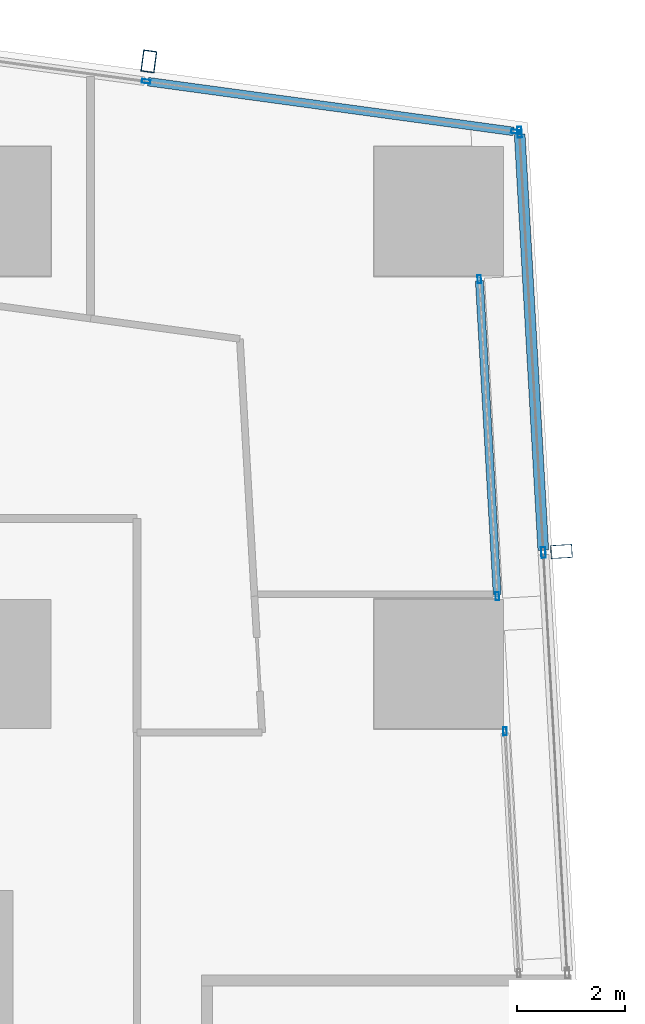
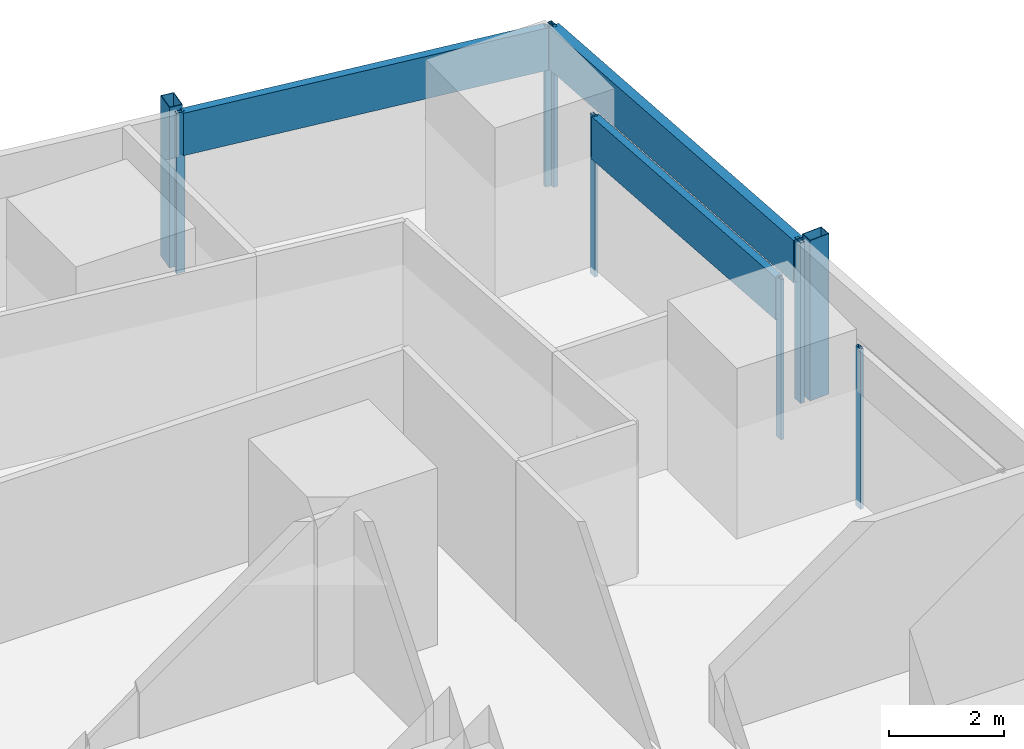
# One storey, part 19 of 34: 12 members, 4 elements without a shape of their own.
"""IFC4 building model written with IfcOpenShell, lengths in metres."""

import ifcopenshell
import ifcopenshell.guid

model = None  # the IFC model being written
_history = None  # IfcOwnerHistory: only IFC2X3 demands one
_inside = {}  # id of a spatial element -> (the spatial element, [elements in it])
_under = {}  # id of a project, library or spatial element -> (it, [spatial elements below it])
_declared = {}  # id of a project -> (the project, [libraries it declares])
_typed = {}  # id of a type object -> (the type object, [elements of that type])
_made_of = {}  # id of a material, layer set ... -> (it, [elements and type objects made of it])


def new_model(schema):
    """Start an empty IFC model of exactly this schema.

    Asked for "IFC4X3", IfcOpenShell would pick the latest addendum, in which some entities
    have other attributes; the version numbers below select the first issue.
    IFC2X3 requires an IfcOwnerHistory on every rooted entity: one is made here for all.
    """
    global model, _history
    if schema == "IFC4X3":
        model = ifcopenshell.file(schema_version=(4, 3, 0, 0))
    else:
        model = ifcopenshell.file(schema=schema)
    _inside.clear()
    _under.clear()
    _declared.clear()
    _typed.clear()
    _made_of.clear()
    _history = None
    if model.schema == "IFC2X3":
        org = make("IfcOrganization", Name="unknown")
        user = make(
            "IfcPersonAndOrganization",
            ThePerson=make("IfcPerson", FamilyName="unknown"),
            TheOrganization=org,
        )
        app = make(
            "IfcApplication",
            ApplicationDeveloper=org,
            Version="unknown",
            ApplicationFullName="unknown",
            ApplicationIdentifier="unknown",
        )
        _history = make(
            "IfcOwnerHistory",
            OwningUser=user,
            OwningApplication=app,
            ChangeAction="ADDED",
            CreationDate=0,
        )
    return model


def make(cls, **values):
    """One entity of the class cls with the attributes given. An attribute that is None is left unset."""
    return model.create_entity(
        cls, **{name: value for name, value in values.items() if value is not None}
    )


def rooted(cls, **values):
    """An entity with a GlobalId (a new one), such as an element, a storey or a relation."""
    return make(cls, GlobalId=ifcopenshell.guid.new(), OwnerHistory=_history, **values)


def si_unit(unit_type, name, prefix=None):
    """IfcSIUnit, for example si_unit("LENGTHUNIT", "METRE", prefix="MILLI")."""
    return make("IfcSIUnit", UnitType=unit_type, Prefix=prefix, Name=name)


def assignment(units):
    """IfcUnitAssignment: the units of a project."""
    return None if units is None else make("IfcUnitAssignment", Units=units)


def point(xyz):
    """IfcCartesianPoint."""
    return None if xyz is None else make("IfcCartesianPoint", Coordinates=xyz)


def direction(xyz):
    """IfcDirection."""
    return None if xyz is None else make("IfcDirection", DirectionRatios=xyz)


def frame(location, z_axis=None, x_axis=None):
    """IfcAxis2Placement3D, a coordinate frame: its origin and axes. An axis left out is left unset."""
    return make(
        "IfcAxis2Placement3D",
        Location=point(location),
        Axis=direction(z_axis),
        RefDirection=direction(x_axis),
    )


def frame_2d(location, x_axis=None):
    """IfcAxis2Placement2D, a coordinate frame in the plane: its origin and x axis."""
    return make(
        "IfcAxis2Placement2D", Location=point(location), RefDirection=direction(x_axis)
    )


def origin():
    """The frame at (0, 0, 0) with its axes left unset."""
    return frame((0.0, 0.0, 0.0))


def origin_2d():
    """The frame at (0, 0) in the plane with its x axis left unset."""
    return frame_2d((0.0, 0.0))


def place(relative_to, where):
    """IfcLocalPlacement: puts the frame where relative to a parent placement (None: the world)."""
    return make(
        "IfcLocalPlacement", PlacementRelTo=relative_to, RelativePlacement=where
    )


def context(
    kind, dimensions, precision=None, world=None, true_north=None, identifier=None
):
    """IfcGeometricRepresentationContext, for example the 3D "Model" context."""
    return make(
        "IfcGeometricRepresentationContext",
        ContextIdentifier=identifier,
        ContextType=kind,
        CoordinateSpaceDimension=dimensions,
        Precision=precision,
        WorldCoordinateSystem=world,
        TrueNorth=true_north,
    )


def subcontext(parent, identifier, kind, view, scale=None):
    """IfcGeometricRepresentationSubContext, for example "Body" below "Model"."""
    return make(
        "IfcGeometricRepresentationSubContext",
        ContextIdentifier=identifier,
        ContextType=kind,
        ParentContext=parent,
        TargetScale=scale,
        TargetView=view,
    )


def project(units=None, contexts=None):
    """IfcProject with its units and contexts."""
    return rooted(
        "IfcProject",
        Name="project",
        RepresentationContexts=contexts,
        UnitsInContext=assignment(units),
    )


def spatial(cls, under=None, at=None, **own):
    """A site, building, storey or space (cls), placed at a placement, below another one or the project."""
    s = rooted(cls, ObjectPlacement=at, **own)
    if under is not None:
        _under.setdefault(under.id(), (under, []))[1].append(s)
    return s


def profile(cls, at=None, kind="AREA", **sizes):
    """A parametric profile (cls). Its sizes go by their IFC names, for example OverallWidth=200.0."""
    return make(cls, ProfileType=kind, Position=at, **sizes)


def hollow_rectangle(**sizes):
    """IfcRectangleHollowProfileDef."""
    return profile("IfcRectangleHollowProfileDef", **sizes)


def extrude(swept, where, along, depth):
    """IfcExtrudedAreaSolid: the profile swept, set in the frame where, extruded along a direction by depth."""
    return make(
        "IfcExtrudedAreaSolid",
        SweptArea=swept,
        Position=where,
        ExtrudedDirection=direction(along),
        Depth=depth,
    )


def shape(context_of_items, identifier, shape_type, items):
    """IfcShapeRepresentation: the items that make up one representation, for example the "Body"."""
    return make(
        "IfcShapeRepresentation",
        ContextOfItems=context_of_items,
        RepresentationIdentifier=identifier,
        RepresentationType=shape_type,
        Items=items,
    )


def material(Name=None, Category=None):
    """IfcMaterial."""
    return make("IfcMaterial", Name=Name, Category=Category)


def material_profile(
    of_material, cross_section, Name=None, Category=None, Priority=None
):
    """IfcMaterialProfile: a cross section and its material."""
    return make(
        "IfcMaterialProfile",
        Name=Name,
        Material=of_material,
        Profile=cross_section,
        Priority=Priority,
        Category=Category,
    )


def profile_set(profiles, Name=None, composite=None):
    """IfcMaterialProfileSet."""
    return make(
        "IfcMaterialProfileSet",
        Name=Name,
        MaterialProfiles=profiles,
        CompositeProfile=composite,
    )


def made_of(thing, what):
    """Note that an element or type object is made of a material, layer set ...; save() writes the relation."""
    if what is not None:
        _made_of.setdefault(what.id(), (what, []))[1].append(thing)
    return thing


def type_object(cls, material=None, **own):
    """A type object (cls), such as IfcWallType, which elements share."""
    return made_of(rooted(cls, **own), material)


def element(
    cls,
    number,
    at=None,
    inside=None,
    cuts=None,
    type_object=None,
    material=None,
    context=None,
    identifier="Body",
    shape_type=None,
    held_by="IfcProductDefinitionShape",
    body=None,
    shapes=None,
    **own,
):
    """One element of the class cls, such as IfcWall. Its Tag is "e" and its number.

    at: its placement. inside: the storey or other place that contains it. cuts: it is an
    opening in that element (IfcRelVoidsElement). A single representation is given by context,
    identifier, shape_type and body (its items); several are given by shapes. held_by: the class
    of the entity that holds the representations. save() writes the other relations.
    """
    e = rooted(cls, Tag="e%d" % number, ObjectPlacement=at, **own)
    if body is not None:
        shapes = [shape(context, identifier, shape_type, body)]
    if shapes is not None:
        e.Representation = make(held_by, Representations=shapes)
    if inside is not None:
        _inside.setdefault(inside.id(), (inside, []))[1].append(e)
    if cuts is not None:
        rooted(
            "IfcRelVoidsElement", RelatingBuildingElement=cuts, RelatedOpeningElement=e
        )
    if type_object is not None:
        _typed.setdefault(type_object.id(), (type_object, []))[1].append(e)
    return made_of(e, material)


def aggregate(whole, parts):
    """IfcRelAggregates: a whole, such as a stair, and the parts it consists of."""
    return rooted("IfcRelAggregates", RelatingObject=whole, RelatedObjects=parts)


def save(model, path):
    """Write the relations noted so far, then the file.

    IfcRelAggregates (storeys below a building ...), IfcRelContainedInSpatialStructure (elements
    in a storey), IfcRelDefinesByType, IfcRelAssociatesMaterial and IfcRelDeclares: one each for
    every whole, place, type object, material and project.
    """
    for whole, parts in _under.values():
        aggregate(whole, parts)
    for where, things in _inside.values():
        rooted(
            "IfcRelContainedInSpatialStructure",
            RelatedElements=things,
            RelatingStructure=where,
        )
    for kind, things in _typed.values():
        rooted("IfcRelDefinesByType", RelatedObjects=things, RelatingType=kind)
    for what, things in _made_of.values():
        rooted("IfcRelAssociatesMaterial", RelatedObjects=things, RelatingMaterial=what)
    for by, libraries in _declared.values():
        rooted("IfcRelDeclares", RelatingContext=by, RelatedDefinitions=libraries)
    model.write(path)


model = new_model("IFC4")

# Units and contexts
model_context = context("Model", 3, precision=1e-05, world=origin(), true_north=direction((0.0, 1.0)))
body_context = subcontext(model_context, "Body", "Model", "MODEL_VIEW")
ifc_project = project(units=[si_unit("LENGTHUNIT", "METRE"), si_unit("AREAUNIT", "SQUARE_METRE"), si_unit("VOLUMEUNIT", "CUBIC_METRE"), si_unit("PLANEANGLEUNIT", "RADIAN"), si_unit("MASSUNIT", "GRAM", prefix="KILO")], contexts=[model_context])

# Site, building, storey
site_placement = place(None, origin())
site = spatial("IfcSite", under=ifc_project, at=site_placement, CompositionType="ELEMENT")
building_placement = place(site_placement, origin())
building = spatial("IfcBuilding", under=site, at=building_placement, Name="Rekha Terrace Tower", CompositionType="ELEMENT")
storey_placement = place(building_placement, frame((0.0, 0.0, 236.449951171875)))
storey = spatial("IfcBuildingStorey", under=building, at=storey_placement, Name="L60", CompositionType="ELEMENT", Elevation=236.449951171875)

# Curtain wall, member
ifc_material_1 = material(Name="Aluminium framing", Category="aluminium")
curtain_wall_type_1 = type_object("IfcCurtainWallType", Name="CW2 double skin outer glazing", PredefinedType="USERDEFINED", material=ifc_material_1)
curtain_wall_1_placement = place(storey_placement, origin())
curtain_wall_1 = element("IfcCurtainWall", 1, at=curtain_wall_1_placement, inside=storey, type_object=curtain_wall_type_1, Name="CW2 double skin outer glazing", ObjectType="DOUBLE SKIN OUTER GLAZING", PredefinedType="USERDEFINED")
ifc_material_2 = material(Name="Steel S355 with fluorocarbon finish", Category="steel")
ifc_material_profile_1 = material_profile(ifc_material_2, hollow_rectangle(XDim=0.25, YDim=0.39990234375, WallThickness=0.012451171875, at=origin_2d()), Name="RHS400x250x12.5")
ifc_profile_set_1 = profile_set([ifc_material_profile_1], Name="Steel S355 with fluorocarbon finish")
member_type_1 = type_object("IfcMemberType", Name="BL1 facade blade RHS 400 x 250", PredefinedType="USERDEFINED", material=ifc_profile_set_1)
member_1_placement = place(storey_placement, frame((61.077392578125, 52.487548828125, 0.0), z_axis=(0.0, 0.0, 1.0), x_axis=(-0.056673619809, 0.998392758797, 0.0)))
member_1 = element("IfcMember", 2, at=member_1_placement, type_object=member_type_1, Name="Facade blade", ObjectType="FACADE BLADE", PredefinedType="USERDEFINED", context=body_context, shape_type="SweptSolid", body=[
    extrude(hollow_rectangle(XDim=0.25, YDim=0.39990234375, WallThickness=0.012451171875, at=origin_2d()), origin(), (0.0, 0.0, 1.0), 3.400146484375),
])

curtain_wall_type_2 = type_object("IfcCurtainWallType", Name="CW3 north unitised glazing", PredefinedType="USERDEFINED", material=ifc_material_1)
curtain_wall_2_placement = place(storey_placement, origin())
curtain_wall_2 = element("IfcCurtainWall", 3, at=curtain_wall_2_placement, inside=storey, type_object=curtain_wall_type_2, Name="CW3 unitised curtain wall", ObjectType="UNITISED CURTAIN WALL", PredefinedType="USERDEFINED")
member_2_placement = place(storey_placement, frame((53.419921875, 61.583251953125, 0.0), z_axis=(0.0, 0.0, 1.0), x_axis=(-0.990867309488, 0.134840553943, 0.0)))
member_2 = element("IfcMember", 4, at=member_2_placement, type_object=member_type_1, Name="Facade blade", ObjectType="FACADE BLADE", PredefinedType="USERDEFINED", context=body_context, shape_type="SweptSolid", body=[
    extrude(hollow_rectangle(XDim=0.25, YDim=0.39990234375, WallThickness=0.012451171875, at=origin_2d()), origin(), (0.0, 0.0, 1.0), 3.400146484375),
])

curtain_wall_type_3 = type_object("IfcCurtainWallType", Name="CW1 double skin inner glazing", PredefinedType="USERDEFINED", material=ifc_material_1)
curtain_wall_3_placement = place(storey_placement, origin())
curtain_wall_3 = element("IfcCurtainWall", 5, at=curtain_wall_3_placement, inside=storey, type_object=curtain_wall_type_3, Name="CW1 double skin inner glazing", ObjectType="DOUBLE SKIN INNER GLAZING", PredefinedType="USERDEFINED")
ifc_material_3 = material(Name="Aluminium mullion section", Category="aluminium")
ifc_material_profile_2 = material_profile(ifc_material_3, hollow_rectangle(XDim=0.06494140625, YDim=0.14990234375, WallThickness=0.00390625, at=origin_2d()), Name="AL RHS 65x150")
ifc_profile_set_2 = profile_set([ifc_material_profile_2], Name="Aluminium mullion section")
member_type_2 = type_object("IfcMemberType", Name="CW1 mullion RHS 65 x 150", PredefinedType="MULLION", material=ifc_profile_set_2)
member_3_placement = place(storey_placement, frame((60.02978515625, 49.149169921875, 0.0), z_axis=(0.0, 0.0, 1.0), x_axis=(-0.998392782917, -0.056673194894, 0.0)))
member_3 = element("IfcMember", 6, at=member_3_placement, type_object=member_type_2, Name="CW1 mullion 2", PredefinedType="MULLION", context=body_context, shape_type="SweptSolid", body=[
    extrude(hollow_rectangle(XDim=0.06494140625, YDim=0.14990234375, WallThickness=0.00390625, at=origin_2d()), origin(), (0.0, 0.0, 1.0), 3.400146484375),
])
aggregate(curtain_wall_3, [member_3])

# Curtain wall, members
curtain_wall_4_placement = place(storey_placement, origin())
curtain_wall_4 = element("IfcCurtainWall", 7, at=curtain_wall_4_placement, inside=storey, type_object=curtain_wall_type_3, Name="CW1 double skin inner glazing", ObjectType="DOUBLE SKIN INNER GLAZING", PredefinedType="USERDEFINED")
member_4_placement = place(storey_placement, frame((59.887451171875, 51.65771484375, 0.0), z_axis=(0.0, 0.0, 1.0), x_axis=(-0.998392782918, -0.056673194877, 0.0)))
member_4 = element("IfcMember", 8, at=member_4_placement, type_object=member_type_2, Name="CW1 mullion 1", PredefinedType="MULLION", context=body_context, shape_type="SweptSolid", body=[
    extrude(hollow_rectangle(XDim=0.06494140625, YDim=0.14990234375, WallThickness=0.00390625, at=origin_2d()), origin(), (0.0, 0.0, 1.0), 3.400146484375),
])
member_5_placement = place(storey_placement, frame((59.553466796875, 57.542236328125, 0.0), z_axis=(0.0, 0.0, 1.0), x_axis=(-0.998392782918, -0.056673194877, 0.0)))
member_5 = element("IfcMember", 9, at=member_5_placement, type_object=member_type_2, Name="CW1 mullion 2", PredefinedType="MULLION", context=body_context, shape_type="SweptSolid", body=[
    extrude(hollow_rectangle(XDim=0.06494140625, YDim=0.14990234375, WallThickness=0.00390625, at=origin_2d()), origin(), (0.0, 0.0, 1.0), 3.400146484375),
])
ifc_material_4 = material(Name="Insulated aluminium spandrel box", Category="aluminium")
ifc_material_profile_3 = material_profile(ifc_material_4, hollow_rectangle(XDim=0.14990234375, YDim=0.89990234375, WallThickness=0.0029296875, at=origin_2d()), Name="AL SPANDREL BOX 150x900")
ifc_profile_set_3 = profile_set([ifc_material_profile_3], Name="Insulated aluminium spandrel box")
member_type_3 = type_object("IfcMemberType", Name="CW1 spandrel transom 150 x 900", PredefinedType="USERDEFINED", material=ifc_profile_set_3)
member_6_placement = place(storey_placement, frame((59.885498046875, 51.690185546875, 2.949951171875), z_axis=(-0.056669284541, 0.998393004878, 0.0), x_axis=(-0.998393004878, -0.056669284541, 0.0)))
member_6 = element("IfcMember", 10, at=member_6_placement, type_object=member_type_3, Name="CW1 spandrel transom 1", ObjectType="TRANSOM", PredefinedType="USERDEFINED", context=body_context, shape_type="SweptSolid", body=[
    extrude(hollow_rectangle(XDim=0.14990234375, YDim=0.89990234375, WallThickness=0.0029296875, at=origin_2d()), origin(), (0.0, 0.0, 1.0), 5.828857421875),
])
aggregate(curtain_wall_4, [member_4, member_5, member_6])

# Member
ifc_material_profile_4 = material_profile(ifc_material_3, hollow_rectangle(XDim=0.080078125, YDim=0.199951171875, WallThickness=0.00390625, at=origin_2d()), Name="AL RHS 80x200")
ifc_profile_set_4 = profile_set([ifc_material_profile_4], Name="Aluminium mullion section")
member_type_4 = type_object("IfcMemberType", Name="CW2 mullion RHS 80 x 200", PredefinedType="MULLION", material=ifc_profile_set_4)
member_7_placement = place(storey_placement, frame((60.742919921875, 52.468505859375, 0.0), z_axis=(0.0, 0.0, 1.0), x_axis=(-0.998392782919, -0.05667319486, 0.0)))
member_7 = element("IfcMember", 11, at=member_7_placement, type_object=member_type_4, Name="CW2 mullion 2", PredefinedType="MULLION", context=body_context, shape_type="SweptSolid", body=[
    extrude(hollow_rectangle(XDim=0.080078125, YDim=0.199951171875, WallThickness=0.00390625, at=origin_2d()), origin(), (0.0, 0.0, 1.0), 3.400146484375),
])

member_8_placement = place(storey_placement, frame((60.300048828125, 60.269287109375, 0.0), z_axis=(0.0, 0.0, 1.0), x_axis=(-0.998392782919, -0.05667319486, 0.0)))
member_8 = element("IfcMember", 12, at=member_8_placement, type_object=member_type_4, Name="CW2 mullion 3", PredefinedType="MULLION", context=body_context, shape_type="SweptSolid", body=[
    extrude(hollow_rectangle(XDim=0.080078125, YDim=0.199951171875, WallThickness=0.00390625, at=origin_2d()), origin(), (0.0, 0.0, 1.0), 3.400146484375),
])

ifc_material_profile_5 = material_profile(ifc_material_4, hollow_rectangle(XDim=0.199951171875, YDim=0.89990234375, WallThickness=0.0029296875, at=origin_2d()), Name="AL SPANDREL BOX 200x900")
ifc_profile_set_5 = profile_set([ifc_material_profile_5], Name="Insulated aluminium spandrel box")
member_type_5 = type_object("IfcMemberType", Name="CW2 spandrel transom 200 x 900", PredefinedType="USERDEFINED", material=ifc_profile_set_5)
member_9_placement = place(storey_placement, frame((60.740478515625, 52.508544921875, 2.949951171875), z_axis=(-0.056667687162, 0.998393095545, 0.0), x_axis=(-0.998393095545, -0.056667687162, 0.0)))
member_9 = element("IfcMember", 13, at=member_9_placement, type_object=member_type_5, Name="CW2 spandrel transom 2", ObjectType="TRANSOM", PredefinedType="USERDEFINED", context=body_context, shape_type="SweptSolid", body=[
    extrude(hollow_rectangle(XDim=0.199951171875, YDim=0.89990234375, WallThickness=0.0029296875, at=origin_2d()), origin(), (0.0, 0.0, 1.0), 7.7333984375),
])

aggregate(curtain_wall_1, [member_7, member_8, member_9, member_1])

ifc_material_profile_6 = material_profile(ifc_material_3, hollow_rectangle(XDim=0.070068359375, YDim=0.159912109375, WallThickness=0.00390625, at=origin_2d()), Name="AL RHS 70x160")
ifc_profile_set_6 = profile_set([ifc_material_profile_6], Name="Aluminium mullion section")
member_type_6 = type_object("IfcMemberType", Name="CW3 mullion RHS 70 x 160", PredefinedType="MULLION", material=ifc_profile_set_6)
member_10_placement = place(storey_placement, frame((60.22509765625, 60.27880859375, 0.0), z_axis=(0.0, 0.0, 1.0), x_axis=(-0.134840840416, -0.990867270504, 0.0)))
member_10 = element("IfcMember", 14, at=member_10_placement, type_object=member_type_6, Name="CW3 mullion 1", PredefinedType="MULLION", context=body_context, shape_type="SweptSolid", body=[
    extrude(hollow_rectangle(XDim=0.070068359375, YDim=0.159912109375, WallThickness=0.00390625, at=origin_2d()), origin(), (0.0, 0.0, 1.0), 3.400146484375),
])

member_11_placement = place(storey_placement, frame((53.369384765625, 61.211669921875, 0.0), z_axis=(0.0, 0.0, 1.0), x_axis=(-0.134840840416, -0.990867270504, 0.0)))
member_11 = element("IfcMember", 15, at=member_11_placement, type_object=member_type_6, Name="CW3 mullion 2", PredefinedType="MULLION", context=body_context, shape_type="SweptSolid", body=[
    extrude(hollow_rectangle(XDim=0.070068359375, YDim=0.159912109375, WallThickness=0.00390625, at=origin_2d()), origin(), (0.0, 0.0, 1.0), 3.400146484375),
])

ifc_material_profile_7 = material_profile(ifc_material_4, hollow_rectangle(XDim=0.159912109375, YDim=0.89990234375, WallThickness=0.0029296875, at=origin_2d()), Name="AL SPANDREL BOX 160x900")
ifc_profile_set_7 = profile_set([ifc_material_profile_7], Name="Insulated aluminium spandrel box")
member_type_7 = type_object("IfcMemberType", Name="CW3 spandrel transom 160 x 900", PredefinedType="USERDEFINED", material=ifc_profile_set_7)
member_12_placement = place(storey_placement, frame((60.190185546875, 60.283447265625, 2.949951171875), z_axis=(-0.990865276141, 0.134855495022, 0.0), x_axis=(-0.134855495022, -0.990865276141, 0.0)))
member_12 = element("IfcMember", 16, at=member_12_placement, type_object=member_type_7, Name="CW3 spandrel transom 1", ObjectType="TRANSOM", PredefinedType="USERDEFINED", context=body_context, shape_type="SweptSolid", body=[
    extrude(hollow_rectangle(XDim=0.159912109375, YDim=0.89990234375, WallThickness=0.0029296875, at=origin_2d()), origin(), (0.0, 0.0, 1.0), 6.8486328125),
])

aggregate(curtain_wall_2, [member_10, member_11, member_12, member_2])

save(model, "model.ifc")
